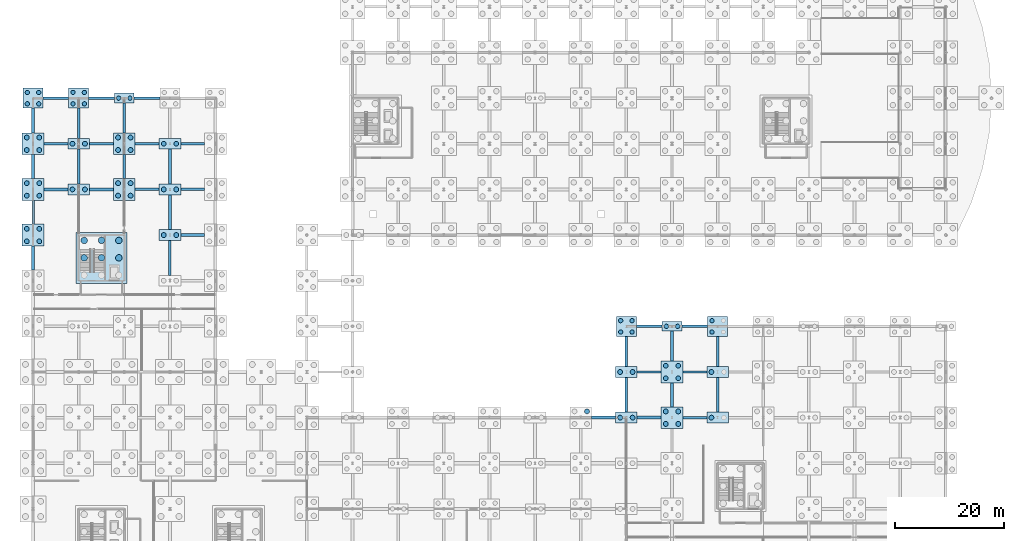
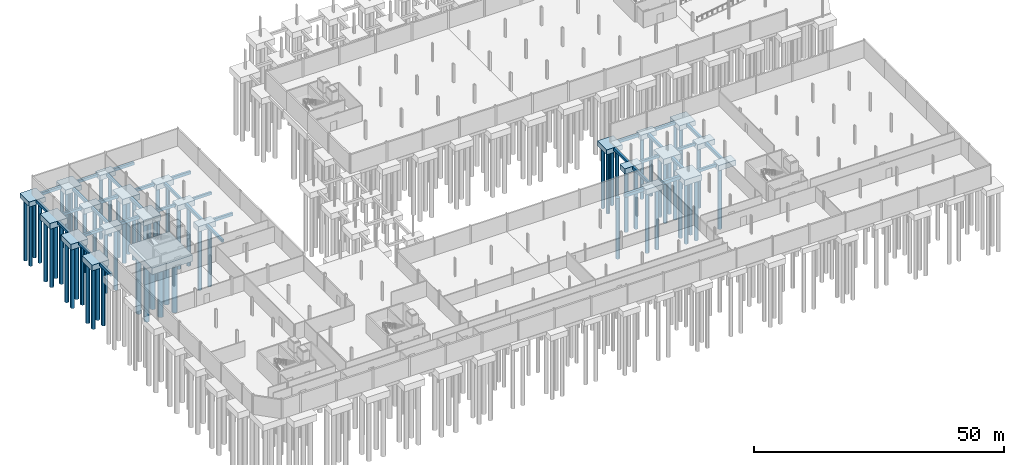
# One storey, part 5 of 51: 69 piles, 59 footings.
"""IFC4 building model written with IfcOpenShell, lengths in metres."""

from ifc_helpers import new_model, si_unit, direction, frame, origin, origin_2d, place, context, subcontext, project, spatial, rectangle, circle, extrude, material, material_profile, profile_set, type_object, element, save


model = new_model("IFC4")

# Units and contexts
model_context = context("Model", 3, precision=1e-05, world=origin(), true_north=direction((0.0, 1.0)))
body_context = subcontext(model_context, "Body", "Model", "MODEL_VIEW")
ifc_project = project(units=[si_unit("LENGTHUNIT", "METRE"), si_unit("AREAUNIT", "SQUARE_METRE"), si_unit("VOLUMEUNIT", "CUBIC_METRE"), si_unit("PLANEANGLEUNIT", "RADIAN"), si_unit("MASSUNIT", "GRAM", prefix="KILO")], contexts=[model_context])

# Site, building, storey
site_placement = place(None, origin())
site = spatial("IfcSite", under=ifc_project, at=site_placement, CompositionType="ELEMENT")
building_placement = place(site_placement, origin())
building = spatial("IfcBuilding", under=site, at=building_placement, Name="Qalvenar Corner Mobility Hub", CompositionType="ELEMENT")
storey_placement = place(building_placement, frame((0.0, 0.0, -4.5)))
storey = spatial("IfcBuildingStorey", under=building, at=storey_placement, Name="B1", CompositionType="ELEMENT", Elevation=-4.5)

# Footings
ifc_material = material(Name="Concrete C40/50", Category="concrete")
footing_type_1 = type_object("IfcFootingType", Name="PC-24X24X12", PredefinedType="PILE_CAP", material=ifc_material)
for number, where, z_axis, x_axis, name in (
    (1, (16.800048828125, 92.39990234375, -1.5498046875), (0.0, 0.0, 1.0), (1.0, 0.0, 0.0), "Pile Cap G3-11"),
    (2, (117.60009765625, 50.39990234375, -1.5498046875), (0.0, 0.0, 1.0), (1.0, 0.0, 0.0), "Pile Cap G15-6"),
):
    element("IfcFooting", number, at=place(storey_placement, frame(where, z_axis=z_axis, x_axis=x_axis)), inside=storey, type_object=footing_type_1, Name=name, PredefinedType="PILE_CAP", context=body_context, shape_type="SweptSolid", body=[
        extrude(rectangle(XDim=3.60009765625, YDim=1.800048828125, at=origin_2d()), origin(), (0.0, 0.0, 1.0), 1.199951171875),
    ])
footing_type_2 = type_object("IfcFootingType", Name="PC-28X28X12", PredefinedType="PILE_CAP", material=ifc_material)
for number, where, z_axis, x_axis, name in (
    (3, (0.0, 92.39990234375, -1.5498046875), (0.0, 0.0, 1.0), (1.0, 0.0, 0.0), "Pile Cap G1-11"),
    (4, (8.39990234375, 92.39990234375, -1.5498046875), (0.0, 0.0, 1.0), (1.0, 0.0, 0.0), "Pile Cap G2-11"),
    (5, (109.199951171875, 50.39990234375, -1.5498046875), (0.0, 0.0, 1.0), (1.0, 0.0, 0.0), "Pile Cap G14-6"),
    (6, (126.0, 50.39990234375, -1.5498046875), (0.0, 0.0, 1.0), (1.0, 0.0, 0.0), "Pile Cap G16-6"),
):
    element("IfcFooting", number, at=place(storey_placement, frame(where, z_axis=z_axis, x_axis=x_axis)), inside=storey, type_object=footing_type_2, Name=name, PredefinedType="PILE_CAP", context=body_context, shape_type="SweptSolid", body=[
        extrude(rectangle(XDim=3.699951171875, YDim=3.699951171875, at=origin_2d()), origin(), (0.0, 0.0, 1.0), 1.199951171875),
    ])
footing_type_3 = type_object("IfcFootingType", Name="PC-32X24X13", PredefinedType="PILE_CAP", material=ifc_material)
for number, where, z_axis, x_axis, name in (
    (7, (8.39990234375, 75.60009765625, -1.64990234375), (0.0, 0.0, 1.0), (1.0, 0.0, 0.0), "Pile Cap G2-9"),
    (8, (8.39990234375, 84.0, -1.64990234375), (0.0, 0.0, 1.0), (1.0, 0.0, 0.0), "Pile Cap G2-10"),
    (9, (25.199951171875, 67.199951171875, -1.64990234375), (0.0, 0.0, 1.0), (1.0, 0.0, 0.0), "Pile Cap G4-8"),
    (10, (25.199951171875, 75.60009765625, -1.64990234375), (0.0, 0.0, 1.0), (1.0, 0.0, 0.0), "Pile Cap G4-9"),
    (11, (25.199951171875, 84.0, -1.64990234375), (0.0, 0.0, 1.0), (1.0, 0.0, 0.0), "Pile Cap G4-10"),
    (12, (109.199951171875, 33.60009765625, -1.64990234375), (0.0, 0.0, 1.0), (1.0, 0.0, 0.0), "Pile Cap G14-4"),
    (13, (109.199951171875, 42.0, -1.64990234375), (0.0, 0.0, 1.0), (1.0, 0.0, 0.0), "Pile Cap G14-5"),
    (14, (126.0, 33.60009765625, -1.64990234375), (0.0, 0.0, 1.0), (1.0, 0.0, 0.0), "Pile Cap G16-4"),
    (15, (126.0, 42.0, -1.64990234375), (0.0, 0.0, 1.0), (1.0, 0.0, 0.0), "Pile Cap G16-5"),
):
    element("IfcFooting", number, at=place(storey_placement, frame(where, z_axis=z_axis, x_axis=x_axis)), inside=storey, type_object=footing_type_3, Name=name, PredefinedType="PILE_CAP", context=body_context, shape_type="SweptSolid", body=[
        extrude(rectangle(XDim=4.0, YDim=2.0, at=origin_2d()), origin(), (0.0, 0.0, 1.0), 1.300048828125),
    ])
footing_type_4 = type_object("IfcFootingType", Name="PC-34X34X14", PredefinedType="PILE_CAP", material=ifc_material)
for number, where, z_axis, x_axis, name in (
    (16, (0.0, 67.199951171875, -1.75), (0.0, 0.0, 1.0), (1.0, 0.0, 0.0), "Pile Cap G1-8"),
    (17, (0.0, 75.60009765625, -1.75), (0.0, 0.0, 1.0), (1.0, 0.0, 0.0), "Pile Cap G1-9"),
    (18, (0.0, 84.0, -1.75), (0.0, 0.0, 1.0), (1.0, 0.0, 0.0), "Pile Cap G1-10"),
    (19, (16.800048828125, 75.60009765625, -1.75), (0.0, 0.0, 1.0), (1.0, 0.0, 0.0), "Pile Cap G3-9"),
    (20, (16.800048828125, 84.0, -1.75), (0.0, 0.0, 1.0), (1.0, 0.0, 0.0), "Pile Cap G3-10"),
    (21, (117.60009765625, 33.60009765625, -1.75), (0.0, 0.0, 1.0), (1.0, 0.0, 0.0), "Pile Cap G15-4"),
    (22, (117.60009765625, 42.0, -1.75), (0.0, 0.0, 1.0), (1.0, 0.0, 0.0), "Pile Cap G15-5"),
):
    element("IfcFooting", number, at=place(storey_placement, frame(where, z_axis=z_axis, x_axis=x_axis)), inside=storey, type_object=footing_type_4, Name=name, PredefinedType="PILE_CAP", context=body_context, shape_type="SweptSolid", body=[
        extrude(rectangle(XDim=4.0, YDim=4.0, at=origin_2d()), origin(), (0.0, 0.0, 1.0), 1.39990234375),
    ])
footing_type_5 = type_object("IfcFootingType", Name="PC-94X94X16", PredefinedType="PILE_CAP", material=ifc_material)
footing_1_placement = place(storey_placement, frame((12.60009765625, 63.0, -1.949951171875), z_axis=(0.0, 0.0, 1.0), x_axis=(1.0, 0.0, 0.0)))
element("IfcFooting", 23, at=footing_1_placement, inside=storey, type_object=footing_type_5, Name="Core Pile Cap C5", PredefinedType="PILE_CAP", context=body_context, shape_type="SweptSolid", body=[
    extrude(rectangle(XDim=9.39990234375, YDim=9.39990234375, at=origin_2d()), origin(), (0.0, 0.0, 1.0), 1.60009765625),
])

# Piles
ifc_material_profile_1 = material_profile(ifc_material, circle(Radius=0.60009765625, at=origin_2d()), Name="DIA1200")
ifc_profile_set_1 = profile_set([ifc_material_profile_1], Name="Concrete C40/50")
pile_type_1 = type_object("IfcPileType", Name="PILE-1200", PredefinedType="BORED", material=ifc_profile_set_1)
for number, where, z_axis, x_axis, name in (
    (24, (9.39990234375, 63.0, -1.800048828125), (0.0, 0.0, -1.0), (1.0, 0.0, 0.0), "Bored Pile C5-02"),
    (25, (9.39990234375, 66.199951171875, -1.800048828125), (0.0, 0.0, -1.0), (1.0, 0.0, 0.0), "Bored Pile C5-03"),
    (26, (12.60009765625, 63.0, -1.800048828125), (0.0, 0.0, -1.0), (1.0, 0.0, 0.0), "Bored Pile C5-05"),
    (27, (12.60009765625, 66.199951171875, -1.800048828125), (0.0, 0.0, -1.0), (1.0, 0.0, 0.0), "Bored Pile C5-06"),
    (28, (15.800048828125, 63.0, -1.800048828125), (0.0, 0.0, -1.0), (1.0, 0.0, 0.0), "Bored Pile C5-08"),
    (29, (15.800048828125, 66.199951171875, -1.800048828125), (0.0, 0.0, -1.0), (1.0, 0.0, 0.0), "Bored Pile C5-09"),
):
    element("IfcPile", number, at=place(storey_placement, frame(where, z_axis=z_axis, x_axis=x_axis)), inside=storey, type_object=pile_type_1, Name=name, PredefinedType="BORED", context=body_context, shape_type="SweptSolid", body=[
        extrude(circle(Radius=0.60009765625, at=origin_2d()), origin(), (0.0, 0.0, 1.0), 14.699951171875),
    ])
ifc_material_profile_2 = material_profile(ifc_material, circle(Radius=0.39990234375, at=origin_2d()), Name="DIA800")
ifc_profile_set_2 = profile_set([ifc_material_profile_2], Name="Concrete C40/50")
pile_type_2 = type_object("IfcPileType", Name="PILE-800", PredefinedType="BORED", material=ifc_profile_set_2)
for number, where, z_axis, x_axis, name in (
    (30, (-1.050048828125, 91.35009765625, -1.39990234375), (0.0, 0.0, -1.0), (1.0, 0.0, 0.0), "Bored Pile G1-11-1"),
    (31, (-1.050048828125, 93.449951171875, -1.39990234375), (0.0, 0.0, -1.0), (1.0, 0.0, 0.0), "Bored Pile G1-11-2"),
    (32, (1.050048828125, 91.35009765625, -1.39990234375), (0.0, 0.0, -1.0), (1.0, 0.0, 0.0), "Bored Pile G1-11-3"),
    (33, (1.050048828125, 93.449951171875, -1.39990234375), (0.0, 0.0, -1.0), (1.0, 0.0, 0.0), "Bored Pile G1-11-4"),
    (34, (7.35009765625, 91.35009765625, -1.39990234375), (0.0, 0.0, -1.0), (1.0, 0.0, 0.0), "Bored Pile G2-11-1"),
    (35, (7.35009765625, 93.449951171875, -1.39990234375), (0.0, 0.0, -1.0), (1.0, 0.0, 0.0), "Bored Pile G2-11-2"),
    (36, (9.449951171875, 91.35009765625, -1.39990234375), (0.0, 0.0, -1.0), (1.0, 0.0, 0.0), "Bored Pile G2-11-3"),
    (37, (9.449951171875, 93.449951171875, -1.39990234375), (0.0, 0.0, -1.0), (1.0, 0.0, 0.0), "Bored Pile G2-11-4"),
    (38, (15.75, 92.39990234375, -1.39990234375), (0.0, 0.0, -1.0), (1.0, 0.0, 0.0), "Bored Pile G3-11-1"),
    (39, (17.85009765625, 92.39990234375, -1.39990234375), (0.0, 0.0, -1.0), (1.0, 0.0, 0.0), "Bored Pile G3-11-2"),
    (40, (108.14990234375, 49.35009765625, -1.39990234375), (0.0, 0.0, -1.0), (1.0, 0.0, 0.0), "Bored Pile G14-6-1"),
    (41, (108.14990234375, 51.449951171875, -1.39990234375), (0.0, 0.0, -1.0), (1.0, 0.0, 0.0), "Bored Pile G14-6-2"),
    (42, (110.25, 49.35009765625, -1.39990234375), (0.0, 0.0, -1.0), (1.0, 0.0, 0.0), "Bored Pile G14-6-3"),
    (43, (110.25, 51.449951171875, -1.39990234375), (0.0, 0.0, -1.0), (1.0, 0.0, 0.0), "Bored Pile G14-6-4"),
    (44, (116.550048828125, 50.39990234375, -1.39990234375), (0.0, 0.0, -1.0), (1.0, 0.0, 0.0), "Bored Pile G15-6-1"),
    (45, (118.64990234375, 50.39990234375, -1.39990234375), (0.0, 0.0, -1.0), (1.0, 0.0, 0.0), "Bored Pile G15-6-2"),
    (46, (124.949951171875, 49.35009765625, -1.39990234375), (0.0, 0.0, -1.0), (1.0, 0.0, 0.0), "Bored Pile G16-6-1"),
    (47, (124.949951171875, 51.449951171875, -1.39990234375), (0.0, 0.0, -1.0), (1.0, 0.0, 0.0), "Bored Pile G16-6-2"),
):
    element("IfcPile", number, at=place(storey_placement, frame(where, z_axis=z_axis, x_axis=x_axis)), inside=storey, type_object=pile_type_2, Name=name, PredefinedType="BORED", context=body_context, shape_type="SweptSolid", body=[
        extrude(circle(Radius=0.39990234375, at=origin_2d()), origin(), (0.0, 0.0, 1.0), 15.10009765625),
    ])
ifc_material_profile_3 = material_profile(ifc_material, circle(Radius=0.449951171875, at=origin_2d()), Name="DIA900")
ifc_profile_set_3 = profile_set([ifc_material_profile_3], Name="Concrete C40/50")
pile_type_3 = type_object("IfcPileType", Name="PILE-900", PredefinedType="BORED", material=ifc_profile_set_3)
for number, where, z_axis, x_axis, name in (
    (48, (-1.14990234375, 66.050048828125, -1.60009765625), (0.0, 0.0, -1.0), (1.0, 0.0, 0.0), "Bored Pile G1-8-1"),
    (49, (-1.14990234375, 68.35009765625, -1.60009765625), (0.0, 0.0, -1.0), (1.0, 0.0, 0.0), "Bored Pile G1-8-2"),
    (50, (1.14990234375, 66.050048828125, -1.60009765625), (0.0, 0.0, -1.0), (1.0, 0.0, 0.0), "Bored Pile G1-8-3"),
    (51, (1.14990234375, 68.35009765625, -1.60009765625), (0.0, 0.0, -1.0), (1.0, 0.0, 0.0), "Bored Pile G1-8-4"),
    (52, (-1.14990234375, 74.449951171875, -1.60009765625), (0.0, 0.0, -1.0), (1.0, 0.0, 0.0), "Bored Pile G1-9-1"),
    (53, (-1.14990234375, 76.75, -1.60009765625), (0.0, 0.0, -1.0), (1.0, 0.0, 0.0), "Bored Pile G1-9-2"),
    (54, (1.14990234375, 74.449951171875, -1.60009765625), (0.0, 0.0, -1.0), (1.0, 0.0, 0.0), "Bored Pile G1-9-3"),
    (55, (1.14990234375, 76.75, -1.60009765625), (0.0, 0.0, -1.0), (1.0, 0.0, 0.0), "Bored Pile G1-9-4"),
    (56, (-1.14990234375, 82.85009765625, -1.60009765625), (0.0, 0.0, -1.0), (1.0, 0.0, 0.0), "Bored Pile G1-10-1"),
    (57, (-1.14990234375, 85.14990234375, -1.60009765625), (0.0, 0.0, -1.0), (1.0, 0.0, 0.0), "Bored Pile G1-10-2"),
    (58, (1.14990234375, 82.85009765625, -1.60009765625), (0.0, 0.0, -1.0), (1.0, 0.0, 0.0), "Bored Pile G1-10-3"),
    (59, (1.14990234375, 85.14990234375, -1.60009765625), (0.0, 0.0, -1.0), (1.0, 0.0, 0.0), "Bored Pile G1-10-4"),
):
    element("IfcPile", number, at=place(storey_placement, frame(where, z_axis=z_axis, x_axis=x_axis)), inside=storey, type_object=pile_type_3, Name=name, PredefinedType="BORED", context=body_context, shape_type="SweptSolid", body=[
        extrude(circle(Radius=0.449951171875, at=origin_2d()), origin(), (0.0, 0.0, 1.0), 14.89990234375),
    ])
for number, where, z_axis, x_axis, name in (
    (60, (7.25, 75.60009765625, -1.5), (0.0, 0.0, -1.0), (1.0, 0.0, 0.0), "Bored Pile G2-9-1"),
    (61, (9.550048828125, 75.60009765625, -1.5), (0.0, 0.0, -1.0), (1.0, 0.0, 0.0), "Bored Pile G2-9-2"),
    (62, (7.25, 84.0, -1.5), (0.0, 0.0, -1.0), (1.0, 0.0, 0.0), "Bored Pile G2-10-1"),
    (63, (9.550048828125, 84.0, -1.5), (0.0, 0.0, -1.0), (1.0, 0.0, 0.0), "Bored Pile G2-10-2"),
):
    element("IfcPile", number, at=place(storey_placement, frame(where, z_axis=z_axis, x_axis=x_axis)), inside=storey, type_object=pile_type_3, Name=name, PredefinedType="BORED", context=body_context, shape_type="SweptSolid", body=[
        extrude(circle(Radius=0.449951171875, at=origin_2d()), origin(), (0.0, 0.0, 1.0), 15.0),
    ])
for number, where, z_axis, x_axis, name in (
    (64, (15.64990234375, 74.449951171875, -1.60009765625), (0.0, 0.0, -1.0), (1.0, 0.0, 0.0), "Bored Pile G3-9-1"),
    (65, (15.64990234375, 76.75, -1.60009765625), (0.0, 0.0, -1.0), (1.0, 0.0, 0.0), "Bored Pile G3-9-2"),
    (66, (17.949951171875, 74.449951171875, -1.60009765625), (0.0, 0.0, -1.0), (1.0, 0.0, 0.0), "Bored Pile G3-9-3"),
    (67, (17.949951171875, 76.75, -1.60009765625), (0.0, 0.0, -1.0), (1.0, 0.0, 0.0), "Bored Pile G3-9-4"),
    (68, (15.64990234375, 82.85009765625, -1.60009765625), (0.0, 0.0, -1.0), (1.0, 0.0, 0.0), "Bored Pile G3-10-1"),
    (69, (15.64990234375, 85.14990234375, -1.60009765625), (0.0, 0.0, -1.0), (1.0, 0.0, 0.0), "Bored Pile G3-10-2"),
    (70, (17.949951171875, 82.85009765625, -1.60009765625), (0.0, 0.0, -1.0), (1.0, 0.0, 0.0), "Bored Pile G3-10-3"),
    (71, (17.949951171875, 85.14990234375, -1.60009765625), (0.0, 0.0, -1.0), (1.0, 0.0, 0.0), "Bored Pile G3-10-4"),
):
    element("IfcPile", number, at=place(storey_placement, frame(where, z_axis=z_axis, x_axis=x_axis)), inside=storey, type_object=pile_type_3, Name=name, PredefinedType="BORED", context=body_context, shape_type="SweptSolid", body=[
        extrude(circle(Radius=0.449951171875, at=origin_2d()), origin(), (0.0, 0.0, 1.0), 14.89990234375),
    ])
for number, where, z_axis, x_axis, name in (
    (72, (24.050048828125, 67.199951171875, -1.5), (0.0, 0.0, -1.0), (1.0, 0.0, 0.0), "Bored Pile G4-8-1"),
    (73, (26.35009765625, 67.199951171875, -1.5), (0.0, 0.0, -1.0), (1.0, 0.0, 0.0), "Bored Pile G4-8-2"),
    (74, (24.050048828125, 75.60009765625, -1.5), (0.0, 0.0, -1.0), (1.0, 0.0, 0.0), "Bored Pile G4-9-1"),
    (75, (26.35009765625, 75.60009765625, -1.5), (0.0, 0.0, -1.0), (1.0, 0.0, 0.0), "Bored Pile G4-9-2"),
    (76, (24.050048828125, 84.0, -1.5), (0.0, 0.0, -1.0), (1.0, 0.0, 0.0), "Bored Pile G4-10-1"),
    (77, (26.35009765625, 84.0, -1.5), (0.0, 0.0, -1.0), (1.0, 0.0, 0.0), "Bored Pile G4-10-2"),
):
    element("IfcPile", number, at=place(storey_placement, frame(where, z_axis=z_axis, x_axis=x_axis)), inside=storey, type_object=pile_type_3, Name=name, PredefinedType="BORED", context=body_context, shape_type="SweptSolid", body=[
        extrude(circle(Radius=0.449951171875, at=origin_2d()), origin(), (0.0, 0.0, 1.0), 15.0),
    ])
pile_placement = place(storey_placement, frame((101.949951171875, 34.75, -1.60009765625), z_axis=(0.0, 0.0, -1.0), x_axis=(1.0, 0.0, 0.0)))
element("IfcPile", 78, at=pile_placement, inside=storey, type_object=pile_type_3, Name="Bored Pile G13-4-4", PredefinedType="BORED", context=body_context, shape_type="SweptSolid", body=[
    extrude(circle(Radius=0.449951171875, at=origin_2d()), origin(), (0.0, 0.0, 1.0), 14.89990234375),
])
for number, where, z_axis, x_axis, name in (
    (79, (108.050048828125, 33.60009765625, -1.5), (0.0, 0.0, -1.0), (1.0, 0.0, 0.0), "Bored Pile G14-4-1"),
    (80, (110.35009765625, 33.60009765625, -1.5), (0.0, 0.0, -1.0), (1.0, 0.0, 0.0), "Bored Pile G14-4-2"),
    (81, (108.050048828125, 42.0, -1.5), (0.0, 0.0, -1.0), (1.0, 0.0, 0.0), "Bored Pile G14-5-1"),
    (82, (110.35009765625, 42.0, -1.5), (0.0, 0.0, -1.0), (1.0, 0.0, 0.0), "Bored Pile G14-5-2"),
):
    element("IfcPile", number, at=place(storey_placement, frame(where, z_axis=z_axis, x_axis=x_axis)), inside=storey, type_object=pile_type_3, Name=name, PredefinedType="BORED", context=body_context, shape_type="SweptSolid", body=[
        extrude(circle(Radius=0.449951171875, at=origin_2d()), origin(), (0.0, 0.0, 1.0), 15.0),
    ])
for number, where, z_axis, x_axis, name in (
    (83, (116.449951171875, 32.449951171875, -1.60009765625), (0.0, 0.0, -1.0), (1.0, 0.0, 0.0), "Bored Pile G15-4-1"),
    (84, (116.449951171875, 34.75, -1.60009765625), (0.0, 0.0, -1.0), (1.0, 0.0, 0.0), "Bored Pile G15-4-2"),
    (85, (118.75, 32.449951171875, -1.60009765625), (0.0, 0.0, -1.0), (1.0, 0.0, 0.0), "Bored Pile G15-4-3"),
    (86, (118.75, 34.75, -1.60009765625), (0.0, 0.0, -1.0), (1.0, 0.0, 0.0), "Bored Pile G15-4-4"),
    (87, (116.449951171875, 40.85009765625, -1.60009765625), (0.0, 0.0, -1.0), (1.0, 0.0, 0.0), "Bored Pile G15-5-1"),
    (88, (116.449951171875, 43.14990234375, -1.60009765625), (0.0, 0.0, -1.0), (1.0, 0.0, 0.0), "Bored Pile G15-5-2"),
    (89, (118.75, 40.85009765625, -1.60009765625), (0.0, 0.0, -1.0), (1.0, 0.0, 0.0), "Bored Pile G15-5-3"),
    (90, (118.75, 43.14990234375, -1.60009765625), (0.0, 0.0, -1.0), (1.0, 0.0, 0.0), "Bored Pile G15-5-4"),
):
    element("IfcPile", number, at=place(storey_placement, frame(where, z_axis=z_axis, x_axis=x_axis)), inside=storey, type_object=pile_type_3, Name=name, PredefinedType="BORED", context=body_context, shape_type="SweptSolid", body=[
        extrude(circle(Radius=0.449951171875, at=origin_2d()), origin(), (0.0, 0.0, 1.0), 14.89990234375),
    ])
for number, where, z_axis, x_axis, name in (
    (91, (124.85009765625, 33.60009765625, -1.5), (0.0, 0.0, -1.0), (1.0, 0.0, 0.0), "Bored Pile G16-4-1"),
    (92, (124.85009765625, 42.0, -1.5), (0.0, 0.0, -1.0), (1.0, 0.0, 0.0), "Bored Pile G16-5-1"),
):
    element("IfcPile", number, at=place(storey_placement, frame(where, z_axis=z_axis, x_axis=x_axis)), inside=storey, type_object=pile_type_3, Name=name, PredefinedType="BORED", context=body_context, shape_type="SweptSolid", body=[
        extrude(circle(Radius=0.449951171875, at=origin_2d()), origin(), (0.0, 0.0, 1.0), 15.0),
    ])

# Footings
ifc_material_profile_4 = material_profile(ifc_material, rectangle(XDim=0.449951171875, YDim=0.64990234375, at=origin_2d()), Name="RC450x650")
ifc_profile_set_4 = profile_set([ifc_material_profile_4], Name="Concrete C40/50")
footing_type_6 = type_object("IfcFootingType", Name="TB-450X650", PredefinedType="FOOTING_BEAM", material=ifc_profile_set_4)
footing_2_placement = place(storey_placement, frame((0.0, 69.199951171875, -0.675048828125), z_axis=(0.0, 1.0, 0.0), x_axis=(-1.0, 0.0, 0.0)))
element("IfcFooting", 93, at=footing_2_placement, inside=storey, type_object=footing_type_6, Name="Foundation Tie Beam TB-012", PredefinedType="FOOTING_BEAM", context=body_context, shape_type="SweptSolid", body=[
    extrude(rectangle(XDim=0.449951171875, YDim=0.64990234375, at=origin_2d()), origin(), (0.0, 0.0, 1.0), 4.400146484375),
])
footing_3_placement = place(storey_placement, frame((2.0, 84.0, -0.675048828125), z_axis=(1.0, 0.0, 0.0), x_axis=(0.0, 1.0, 0.0)))
element("IfcFooting", 94, at=footing_3_placement, inside=storey, type_object=footing_type_6, Name="Foundation Tie Beam TB-015", PredefinedType="FOOTING_BEAM", context=body_context, shape_type="SweptSolid", body=[
    extrude(rectangle(XDim=0.449951171875, YDim=0.64990234375, at=origin_2d()), origin(), (0.0, 0.0, 1.0), 4.39990234375),
])
footing_4_placement = place(storey_placement, frame((8.39990234375, 76.60009765625, -0.675048828125), z_axis=(0.0, 1.0, 0.0), x_axis=(-1.0, 0.0, 0.0)))
element("IfcFooting", 95, at=footing_4_placement, inside=storey, type_object=footing_type_6, Name="Foundation Tie Beam TB-027", PredefinedType="FOOTING_BEAM", context=body_context, shape_type="SweptSolid", body=[
    extrude(rectangle(XDim=0.449951171875, YDim=0.64990234375, at=origin_2d()), origin(), (0.0, 0.0, 1.0), 6.39990234375),
])
footing_5_placement = place(storey_placement, frame((10.25, 92.39990234375, -0.675048828125), z_axis=(1.0, 0.0, 0.0), x_axis=(0.0, 1.0, 0.0)))
element("IfcFooting", 96, at=footing_5_placement, inside=storey, type_object=footing_type_6, Name="Foundation Tie Beam TB-030", PredefinedType="FOOTING_BEAM", context=body_context, shape_type="SweptSolid", body=[
    extrude(rectangle(XDim=0.449951171875, YDim=0.64990234375, at=origin_2d()), origin(), (0.0, 0.0, 1.0), 4.75),
])
footing_6_placement = place(storey_placement, frame((18.800048828125, 75.60009765625, -0.675048828125), z_axis=(1.0, 0.0, 0.0), x_axis=(0.0, 1.0, 0.0)))
element("IfcFooting", 97, at=footing_6_placement, inside=storey, type_object=footing_type_6, Name="Foundation Tie Beam TB-039", PredefinedType="FOOTING_BEAM", context=body_context, shape_type="SweptSolid", body=[
    extrude(rectangle(XDim=0.449951171875, YDim=0.64990234375, at=origin_2d()), origin(), (0.0, 0.0, 1.0), 4.39990234375),
])
footing_7_placement = place(storey_placement, frame((16.800048828125, 86.0, -0.675048828125), z_axis=(0.0, 1.0, 0.0), x_axis=(-1.0, 0.0, 0.0)))
element("IfcFooting", 98, at=footing_7_placement, inside=storey, type_object=footing_type_6, Name="Foundation Tie Beam TB-042", PredefinedType="FOOTING_BEAM", context=body_context, shape_type="SweptSolid", body=[
    extrude(rectangle(XDim=0.449951171875, YDim=0.64990234375, at=origin_2d()), origin(), (0.0, 0.0, 1.0), 5.5),
])
footing_8_placement = place(storey_placement, frame((25.199951171875, 59.800048828125, -0.675048828125), z_axis=(0.0, 1.0, 0.0), x_axis=(-1.0, 0.0, 0.0)))
element("IfcFooting", 99, at=footing_8_placement, inside=storey, type_object=footing_type_6, Name="Foundation Tie Beam TB-057", PredefinedType="FOOTING_BEAM", context=body_context, shape_type="SweptSolid", body=[
    extrude(rectangle(XDim=0.449951171875, YDim=0.64990234375, at=origin_2d()), origin(), (0.0, 0.0, 1.0), 6.39990234375),
])
for number, where, z_axis, x_axis, name in (
    (100, (27.199951171875, 75.60009765625, -0.675048828125), (1.0, 0.0, 0.0), (0.0, 1.0, 0.0), "Foundation Tie Beam TB-060"),
    (101, (111.199951171875, 42.0, -0.675048828125), (1.0, 0.0, 0.0), (0.0, 1.0, 0.0), "Foundation Tie Beam TB-234"),
):
    element("IfcFooting", number, at=place(storey_placement, frame(where, z_axis=z_axis, x_axis=x_axis)), inside=storey, type_object=footing_type_6, Name=name, PredefinedType="FOOTING_BEAM", context=body_context, shape_type="SweptSolid", body=[
        extrude(rectangle(XDim=0.449951171875, YDim=0.64990234375, at=origin_2d()), origin(), (0.0, 0.0, 1.0), 4.400146484375),
    ])
footing_9_placement = place(storey_placement, frame((119.60009765625, 42.0, -0.675048828125), z_axis=(1.0, 0.0, 0.0), x_axis=(0.0, 1.0, 0.0)))
element("IfcFooting", 102, at=footing_9_placement, inside=storey, type_object=footing_type_6, Name="Foundation Tie Beam TB-258", PredefinedType="FOOTING_BEAM", context=body_context, shape_type="SweptSolid", body=[
    extrude(rectangle(XDim=0.449951171875, YDim=0.64990234375, at=origin_2d()), origin(), (0.0, 0.0, 1.0), 4.39990234375),
])
ifc_material_profile_5 = material_profile(ifc_material, rectangle(XDim=0.5, YDim=0.699951171875, at=origin_2d()), Name="RC500x700")
ifc_profile_set_5 = profile_set([ifc_material_profile_5], Name="Concrete C40/50")
footing_type_7 = type_object("IfcFootingType", Name="TB-500X700", PredefinedType="FOOTING_BEAM", material=ifc_profile_set_5)
for number, where, z_axis, x_axis, name in (
    (103, (0.0, 60.800048828125, -0.699951171875), (0.0, 1.0, 0.0), (-1.0, 0.0, 0.0), "Foundation Tie Beam TB-011"),
    (104, (2.0, 75.60009765625, -0.699951171875), (1.0, 0.0, 0.0), (0.0, 1.0, 0.0), "Foundation Tie Beam TB-013"),
    (105, (0.0, 77.60009765625, -0.699951171875), (0.0, 1.0, 0.0), (-1.0, 0.0, 0.0), "Foundation Tie Beam TB-014"),
):
    element("IfcFooting", number, at=place(storey_placement, frame(where, z_axis=z_axis, x_axis=x_axis)), inside=storey, type_object=footing_type_7, Name=name, PredefinedType="FOOTING_BEAM", context=body_context, shape_type="SweptSolid", body=[
        extrude(rectangle(XDim=0.5, YDim=0.699951171875, at=origin_2d()), origin(), (0.0, 0.0, 1.0), 4.39990234375),
    ])
footing_10_placement = place(storey_placement, frame((0.0, 86.0, -0.699951171875), z_axis=(0.0, 1.0, 0.0), x_axis=(-1.0, 0.0, 0.0)))
element("IfcFooting", 106, at=footing_10_placement, inside=storey, type_object=footing_type_7, Name="Foundation Tie Beam TB-016", PredefinedType="FOOTING_BEAM", context=body_context, shape_type="SweptSolid", body=[
    extrude(rectangle(XDim=0.5, YDim=0.699951171875, at=origin_2d()), origin(), (0.0, 0.0, 1.0), 4.550048828125),
])
footing_11_placement = place(storey_placement, frame((1.85009765625, 92.39990234375, -0.699951171875), z_axis=(1.0, 0.0, 0.0), x_axis=(0.0, 1.0, 0.0)))
element("IfcFooting", 107, at=footing_11_placement, inside=storey, type_object=footing_type_7, Name="Foundation Tie Beam TB-017", PredefinedType="FOOTING_BEAM", context=body_context, shape_type="SweptSolid", body=[
    extrude(rectangle(XDim=0.5, YDim=0.699951171875, at=origin_2d()), origin(), (0.0, 0.0, 1.0), 4.699951171875),
])
for number, where, z_axis, x_axis, name in (
    (108, (10.39990234375, 75.60009765625, -0.699951171875), (1.0, 0.0, 0.0), (0.0, 1.0, 0.0), "Foundation Tie Beam TB-026"),
    (109, (10.39990234375, 84.0, -0.699951171875), (1.0, 0.0, 0.0), (0.0, 1.0, 0.0), "Foundation Tie Beam TB-028"),
):
    element("IfcFooting", number, at=place(storey_placement, frame(where, z_axis=z_axis, x_axis=x_axis)), inside=storey, type_object=footing_type_7, Name=name, PredefinedType="FOOTING_BEAM", context=body_context, shape_type="SweptSolid", body=[
        extrude(rectangle(XDim=0.5, YDim=0.699951171875, at=origin_2d()), origin(), (0.0, 0.0, 1.0), 4.400146484375),
    ])
footing_12_placement = place(storey_placement, frame((8.39990234375, 85.0, -0.699951171875), z_axis=(0.0, 1.0, 0.0), x_axis=(-1.0, 0.0, 0.0)))
element("IfcFooting", 110, at=footing_12_placement, inside=storey, type_object=footing_type_7, Name="Foundation Tie Beam TB-029", PredefinedType="FOOTING_BEAM", context=body_context, shape_type="SweptSolid", body=[
    extrude(rectangle(XDim=0.5, YDim=0.699951171875, at=origin_2d()), origin(), (0.0, 0.0, 1.0), 5.550048828125),
])
for number, where, z_axis, x_axis, name in (
    (111, (16.800048828125, 77.60009765625, -0.699951171875), (0.0, 1.0, 0.0), (-1.0, 0.0, 0.0), "Foundation Tie Beam TB-040"),
    (112, (18.800048828125, 84.0, -0.699951171875), (1.0, 0.0, 0.0), (0.0, 1.0, 0.0), "Foundation Tie Beam TB-041"),
):
    element("IfcFooting", number, at=place(storey_placement, frame(where, z_axis=z_axis, x_axis=x_axis)), inside=storey, type_object=footing_type_7, Name=name, PredefinedType="FOOTING_BEAM", context=body_context, shape_type="SweptSolid", body=[
        extrude(rectangle(XDim=0.5, YDim=0.699951171875, at=origin_2d()), origin(), (0.0, 0.0, 1.0), 4.39990234375),
    ])
footing_13_placement = place(storey_placement, frame((18.60009765625, 92.39990234375, -0.699951171875), z_axis=(1.0, 0.0, 0.0), x_axis=(0.0, 1.0, 0.0)))
element("IfcFooting", 113, at=footing_13_placement, inside=storey, type_object=footing_type_7, Name="Foundation Tie Beam TB-043", PredefinedType="FOOTING_BEAM", context=body_context, shape_type="SweptSolid", body=[
    extrude(rectangle(XDim=0.5, YDim=0.699951171875, at=origin_2d()), origin(), (0.0, 0.0, 1.0), 4.75),
])
footing_14_placement = place(storey_placement, frame((27.199951171875, 67.199951171875, -0.699951171875), z_axis=(1.0, 0.0, 0.0), x_axis=(0.0, 1.0, 0.0)))
element("IfcFooting", 114, at=footing_14_placement, inside=storey, type_object=footing_type_7, Name="Foundation Tie Beam TB-058", PredefinedType="FOOTING_BEAM", context=body_context, shape_type="SweptSolid", body=[
    extrude(rectangle(XDim=0.5, YDim=0.699951171875, at=origin_2d()), origin(), (0.0, 0.0, 1.0), 4.400146484375),
])
footing_15_placement = place(storey_placement, frame((25.199951171875, 68.199951171875, -0.699951171875), z_axis=(0.0, 1.0, 0.0), x_axis=(-1.0, 0.0, 0.0)))
element("IfcFooting", 115, at=footing_15_placement, inside=storey, type_object=footing_type_7, Name="Foundation Tie Beam TB-059", PredefinedType="FOOTING_BEAM", context=body_context, shape_type="SweptSolid", body=[
    extrude(rectangle(XDim=0.5, YDim=0.699951171875, at=origin_2d()), origin(), (0.0, 0.0, 1.0), 6.400146484375),
])
footing_16_placement = place(storey_placement, frame((25.199951171875, 76.60009765625, -0.699951171875), z_axis=(0.0, 1.0, 0.0), x_axis=(-1.0, 0.0, 0.0)))
element("IfcFooting", 116, at=footing_16_placement, inside=storey, type_object=footing_type_7, Name="Foundation Tie Beam TB-061", PredefinedType="FOOTING_BEAM", context=body_context, shape_type="SweptSolid", body=[
    extrude(rectangle(XDim=0.5, YDim=0.699951171875, at=origin_2d()), origin(), (0.0, 0.0, 1.0), 6.39990234375),
])
footing_17_placement = place(storey_placement, frame((27.199951171875, 84.0, -0.699951171875), z_axis=(1.0, 0.0, 0.0), x_axis=(0.0, 1.0, 0.0)))
element("IfcFooting", 117, at=footing_17_placement, inside=storey, type_object=footing_type_7, Name="Foundation Tie Beam TB-062", PredefinedType="FOOTING_BEAM", context=body_context, shape_type="SweptSolid", body=[
    extrude(rectangle(XDim=0.5, YDim=0.699951171875, at=origin_2d()), origin(), (0.0, 0.0, 1.0), 4.400146484375),
])
footing_18_placement = place(storey_placement, frame((109.199951171875, 34.60009765625, -0.699951171875), z_axis=(0.0, 1.0, 0.0), x_axis=(-1.0, 0.0, 0.0)))
element("IfcFooting", 118, at=footing_18_placement, inside=storey, type_object=footing_type_7, Name="Foundation Tie Beam TB-233", PredefinedType="FOOTING_BEAM", context=body_context, shape_type="SweptSolid", body=[
    extrude(rectangle(XDim=0.5, YDim=0.699951171875, at=origin_2d()), origin(), (0.0, 0.0, 1.0), 6.39990234375),
])
footing_19_placement = place(storey_placement, frame((109.199951171875, 43.0, -0.699951171875), z_axis=(0.0, 1.0, 0.0), x_axis=(-1.0, 0.0, 0.0)))
element("IfcFooting", 119, at=footing_19_placement, inside=storey, type_object=footing_type_7, Name="Foundation Tie Beam TB-235", PredefinedType="FOOTING_BEAM", context=body_context, shape_type="SweptSolid", body=[
    extrude(rectangle(XDim=0.5, YDim=0.699951171875, at=origin_2d()), origin(), (0.0, 0.0, 1.0), 5.550048828125),
])
footing_20_placement = place(storey_placement, frame((111.050048828125, 50.39990234375, -0.699951171875), z_axis=(1.0, 0.0, 0.0), x_axis=(0.0, 1.0, 0.0)))
element("IfcFooting", 120, at=footing_20_placement, inside=storey, type_object=footing_type_7, Name="Foundation Tie Beam TB-236", PredefinedType="FOOTING_BEAM", context=body_context, shape_type="SweptSolid", body=[
    extrude(rectangle(XDim=0.5, YDim=0.699951171875, at=origin_2d()), origin(), (0.0, 0.0, 1.0), 4.75),
])
for number, where, z_axis, x_axis, name in (
    (121, (119.60009765625, 33.60009765625, -0.699951171875), (1.0, 0.0, 0.0), (0.0, 1.0, 0.0), "Foundation Tie Beam TB-256"),
    (122, (117.60009765625, 35.60009765625, -0.699951171875), (0.0, 1.0, 0.0), (-1.0, 0.0, 0.0), "Foundation Tie Beam TB-257"),
):
    element("IfcFooting", number, at=place(storey_placement, frame(where, z_axis=z_axis, x_axis=x_axis)), inside=storey, type_object=footing_type_7, Name=name, PredefinedType="FOOTING_BEAM", context=body_context, shape_type="SweptSolid", body=[
        extrude(rectangle(XDim=0.5, YDim=0.699951171875, at=origin_2d()), origin(), (0.0, 0.0, 1.0), 4.39990234375),
    ])
footing_21_placement = place(storey_placement, frame((117.60009765625, 44.0, -0.699951171875), z_axis=(0.0, 1.0, 0.0), x_axis=(-1.0, 0.0, 0.0)))
element("IfcFooting", 123, at=footing_21_placement, inside=storey, type_object=footing_type_7, Name="Foundation Tie Beam TB-259", PredefinedType="FOOTING_BEAM", context=body_context, shape_type="SweptSolid", body=[
    extrude(rectangle(XDim=0.5, YDim=0.699951171875, at=origin_2d()), origin(), (0.0, 0.0, 1.0), 5.5),
])
footing_22_placement = place(storey_placement, frame((119.39990234375, 50.39990234375, -0.699951171875), z_axis=(1.0, 0.0, 0.0), x_axis=(0.0, 1.0, 0.0)))
element("IfcFooting", 124, at=footing_22_placement, inside=storey, type_object=footing_type_7, Name="Foundation Tie Beam TB-260", PredefinedType="FOOTING_BEAM", context=body_context, shape_type="SweptSolid", body=[
    extrude(rectangle(XDim=0.5, YDim=0.699951171875, at=origin_2d()), origin(), (0.0, 0.0, 1.0), 4.75),
])
footing_23_placement = place(storey_placement, frame((126.0, 34.60009765625, -0.699951171875), z_axis=(0.0, 1.0, 0.0), x_axis=(-1.0, 0.0, 0.0)))
element("IfcFooting", 125, at=footing_23_placement, inside=storey, type_object=footing_type_7, Name="Foundation Tie Beam TB-278", PredefinedType="FOOTING_BEAM", context=body_context, shape_type="SweptSolid", body=[
    extrude(rectangle(XDim=0.5, YDim=0.699951171875, at=origin_2d()), origin(), (0.0, 0.0, 1.0), 6.39990234375),
])
footing_24_placement = place(storey_placement, frame((126.0, 43.0, -0.699951171875), z_axis=(0.0, 1.0, 0.0), x_axis=(-1.0, 0.0, 0.0)))
element("IfcFooting", 126, at=footing_24_placement, inside=storey, type_object=footing_type_7, Name="Foundation Tie Beam TB-280", PredefinedType="FOOTING_BEAM", context=body_context, shape_type="SweptSolid", body=[
    extrude(rectangle(XDim=0.5, YDim=0.699951171875, at=origin_2d()), origin(), (0.0, 0.0, 1.0), 5.550048828125),
])
ifc_material_profile_6 = material_profile(ifc_material, rectangle(XDim=0.60009765625, YDim=0.800048828125, at=origin_2d()), Name="RC600x800")
ifc_profile_set_6 = profile_set([ifc_material_profile_6], Name="Concrete C40/50")
footing_type_8 = type_object("IfcFootingType", Name="TB-600X800", PredefinedType="FOOTING_BEAM", material=ifc_profile_set_6)
footing_25_placement = place(storey_placement, frame((102.800048828125, 33.60009765625, -0.75), z_axis=(1.0, 0.0, 0.0), x_axis=(0.0, 1.0, 0.0)))
element("IfcFooting", 127, at=footing_25_placement, inside=storey, type_object=footing_type_8, Name="Foundation Tie Beam TB-210", PredefinedType="FOOTING_BEAM", context=body_context, shape_type="SweptSolid", body=[
    extrude(rectangle(XDim=0.60009765625, YDim=0.800048828125, at=origin_2d()), origin(), (0.0, 0.0, 1.0), 4.39990234375),
])
footing_26_placement = place(storey_placement, frame((111.199951171875, 33.60009765625, -0.75), z_axis=(1.0, 0.0, 0.0), x_axis=(0.0, 1.0, 0.0)))
element("IfcFooting", 128, at=footing_26_placement, inside=storey, type_object=footing_type_8, Name="Foundation Tie Beam TB-232", PredefinedType="FOOTING_BEAM", context=body_context, shape_type="SweptSolid", body=[
    extrude(rectangle(XDim=0.60009765625, YDim=0.800048828125, at=origin_2d()), origin(), (0.0, 0.0, 1.0), 4.400146484375),
])

save(model, "model.ifc")
